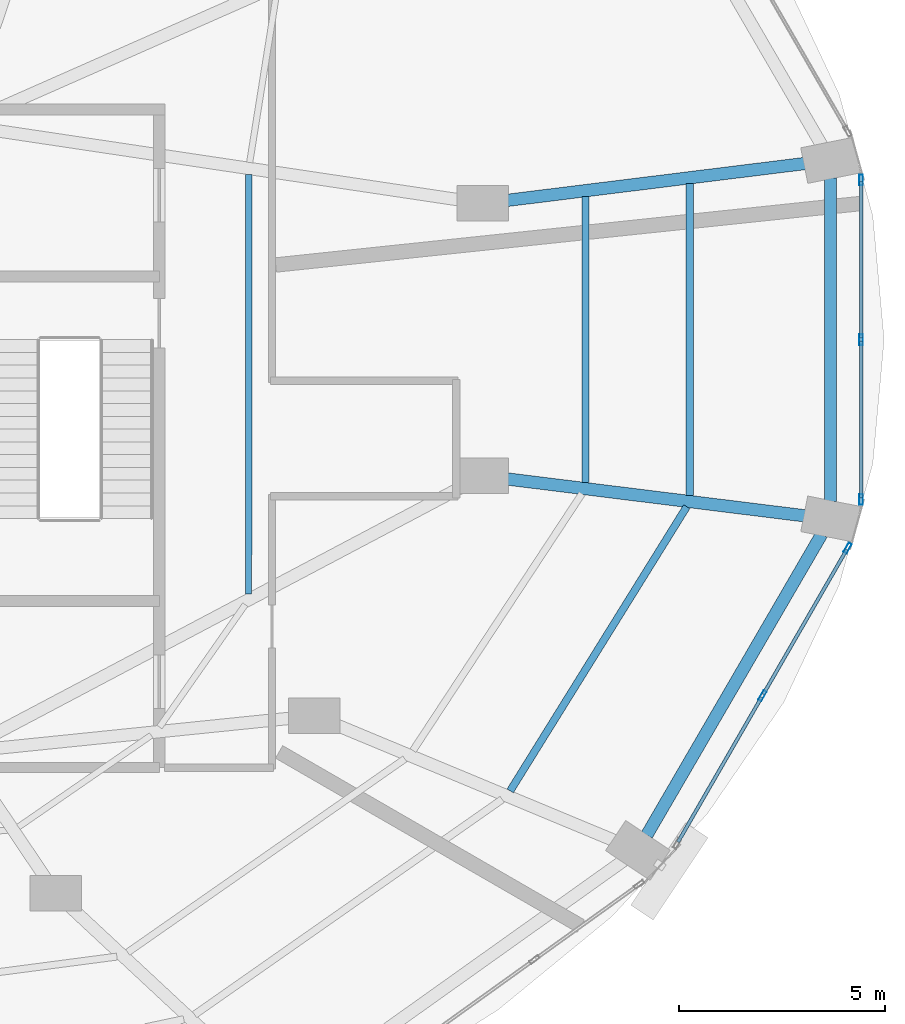
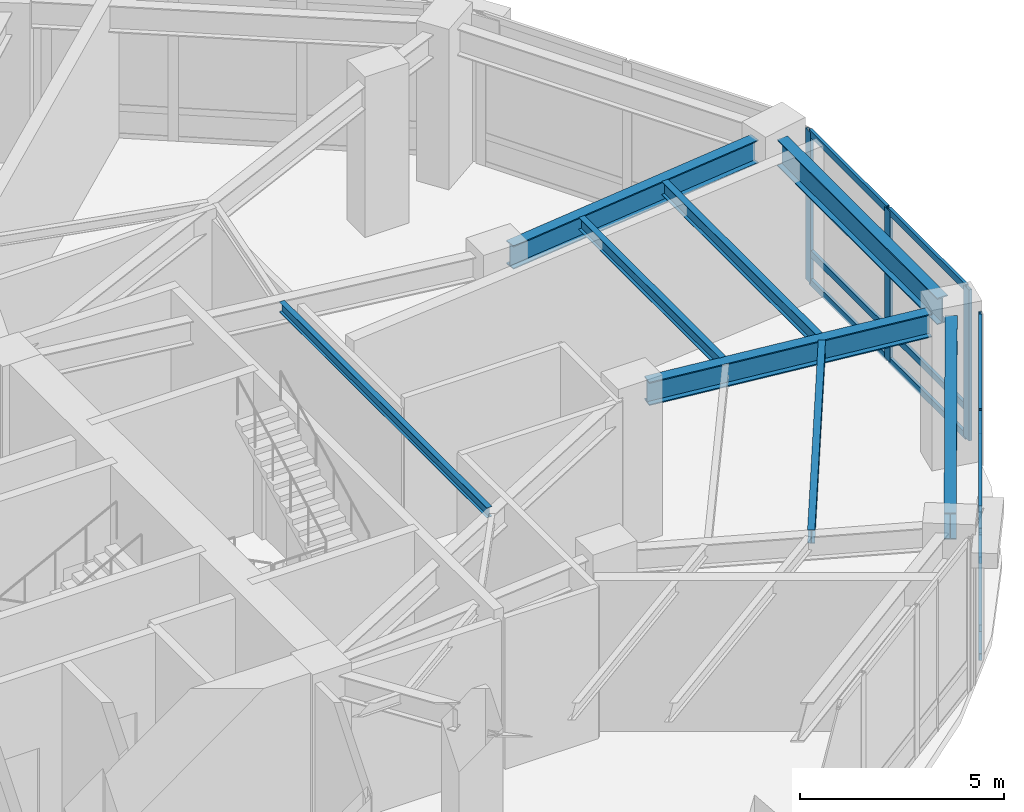
# One storey, part 12 of 24: 17 members, 8 beams, 2 elements without a shape of their own.
"""IFC4 building model written with IfcOpenShell, lengths in metres."""

from ifc_helpers import new_model, si_unit, direction, frame, origin, origin_2d, place, context, subcontext, project, spatial, hollow_rectangle, i_section, extrude, material, layer, layer_set, material_profile, profile_set, type_object, element, aggregate, save


model = new_model("IFC4")

# Units and contexts
model_context = context("Model", 3, precision=1e-05, world=origin(), true_north=direction((0.0, 1.0)))
body_context = subcontext(model_context, "Body", "Model", "MODEL_VIEW")
ifc_project = project(units=[si_unit("LENGTHUNIT", "METRE"), si_unit("AREAUNIT", "SQUARE_METRE"), si_unit("VOLUMEUNIT", "CUBIC_METRE"), si_unit("PLANEANGLEUNIT", "RADIAN"), si_unit("MASSUNIT", "GRAM", prefix="KILO")], contexts=[model_context])

# Site, building, storey
site_placement = place(None, origin())
site = spatial("IfcSite", under=ifc_project, at=site_placement, CompositionType="ELEMENT")
building_placement = place(site_placement, origin())
building = spatial("IfcBuilding", under=site, at=building_placement, Name="Lazwardi Medical Tower", CompositionType="ELEMENT")
storey_placement = place(building_placement, frame((0.0, 0.0, 10.800048828125)))
storey = spatial("IfcBuildingStorey", under=building, at=storey_placement, Name="L02", CompositionType="ELEMENT", Elevation=10.800048828125)

# Beams
ifc_material_1 = material(Name="Steel S355", Category="steel")
ifc_material_profile_1 = material_profile(ifc_material_1, i_section(OverallWidth=0.300048828125, OverallDepth=0.800048828125, WebThickness=0.017578125, FlangeThickness=0.032958984375, at=origin_2d()), Name="HEB 800")
ifc_profile_set_1 = profile_set([ifc_material_profile_1], Name="Steel S355")
beam_type_1 = type_object("IfcBeamType", Name="BM-RB-P1", PredefinedType="BEAM", material=ifc_profile_set_1)
beam_1_placement = place(storey_placement, frame((62.2412109375, 18.382568359375, 4.119873046875), z_axis=(0.502605874383, 0.864515665003, 0.0), x_axis=(-0.864515665003, 0.502605874383, 0.0)))
element("IfcBeam", 1, at=beam_1_placement, inside=storey, type_object=beam_type_1, Name="Ring beam RB-01 B03 L02", PredefinedType="BEAM", context=body_context, shape_type="SweptSolid", body=[
    extrude(i_section(OverallWidth=0.300048828125, OverallDepth=0.800048828125, WebThickness=0.017578125, FlangeThickness=0.032958984375, at=origin_2d()), origin(), (0.0, 0.0, 1.0), 8.4384765625),
])
beam_2_placement = place(storey_placement, frame((66.698486328125, 26.4794921875, 4.119873046875), z_axis=(0.0, 1.0, 0.0), x_axis=(-1.0, 0.0, 0.0)))
element("IfcBeam", 2, at=beam_2_placement, inside=storey, type_object=beam_type_1, Name="Ring beam RB-01 B04 L02", PredefinedType="BEAM", context=body_context, shape_type="SweptSolid", body=[
    extrude(i_section(OverallWidth=0.300048828125, OverallDepth=0.800048828125, WebThickness=0.017578125, FlangeThickness=0.032958984375, at=origin_2d()), origin(), (0.0, 0.0, 1.0), 7.841064453125),
])
ifc_material_profile_2 = material_profile(ifc_material_1, i_section(OverallWidth=0.300048828125, OverallDepth=0.699951171875, WebThickness=0.01708984375, FlangeThickness=0.031982421875, at=origin_2d()), Name="HEB 700")
ifc_profile_set_2 = profile_set([ifc_material_profile_2], Name="Steel S355")
beam_type_2 = type_object("IfcBeamType", Name="BM-RG-P1", PredefinedType="BEAM", material=ifc_profile_set_2)
for number, where, z_axis, x_axis, name in (
    (3, (66.123046875, 26.120849609375, 4.169921875), (-0.992421549031, 0.122879896728, 0.0), (-0.122879896728, -0.992421549031, 0.0), "Radial girder RG-01 R04A L02"),
    (4, (66.123046875, 34.67919921875, 4.169921875), (-0.992421549031, -0.122879896728, 0.0), (0.122879896728, -0.992421549031, 0.0), "Radial girder RG-01 R05A L02"),
):
    element("IfcBeam", number, at=place(storey_placement, frame(where, z_axis=z_axis, x_axis=x_axis)), inside=storey, type_object=beam_type_2, Name=name, PredefinedType="BEAM", context=body_context, shape_type="SweptSolid", body=[
        extrude(i_section(OverallWidth=0.300048828125, OverallDepth=0.699951171875, WebThickness=0.01708984375, FlangeThickness=0.031982421875, at=origin_2d()), origin(), (0.0, 0.0, 1.0), 7.52001953125),
    ])
ifc_material_profile_3 = material_profile(ifc_material_1, i_section(OverallWidth=0.179931640625, OverallDepth=0.39990234375, WebThickness=0.008544921875, FlangeThickness=0.013427734375, at=origin_2d()), Name="IPE 400")
ifc_profile_set_3 = profile_set([ifc_material_profile_3], Name="Steel S355")
beam_type_3 = type_object("IfcBeamType", Name="BM-SJ-01", PredefinedType="JOIST", material=ifc_profile_set_3)
beam_3_placement = place(storey_placement, frame((58.927490234375, 19.45458984375, 4.320068359375), z_axis=(0.527696026634, 0.84943328371, 0.0), x_axis=(-0.84943328371, 0.527696026634, 0.0)))
element("IfcBeam", 5, at=beam_3_placement, inside=storey, type_object=beam_type_3, Name="Secondary joist SJ-01 RO1 B03 L02", PredefinedType="JOIST", context=body_context, shape_type="SweptSolid", body=[
    extrude(i_section(OverallWidth=0.179931640625, OverallDepth=0.39990234375, WebThickness=0.008544921875, FlangeThickness=0.013427734375, at=origin_2d()), origin(), (0.0, 0.0, 1.0), 8.116455078125),
])
beam_4_placement = place(storey_placement, frame((63.287109375, 26.616943359375, 4.320068359375), z_axis=(0.0, 1.0, 0.0), x_axis=(-1.0, 0.0, 0.0)))
element("IfcBeam", 6, at=beam_4_placement, inside=storey, type_object=beam_type_3, Name="Secondary joist SJ-01 RO1 B04 L02", PredefinedType="JOIST", context=body_context, shape_type="SweptSolid", body=[
    extrude(i_section(OverallWidth=0.179931640625, OverallDepth=0.39990234375, WebThickness=0.008544921875, FlangeThickness=0.013427734375, at=origin_2d()), origin(), (0.0, 0.0, 1.0), 7.566162109375),
])
ifc_material_profile_4 = material_profile(ifc_material_1, i_section(OverallWidth=0.169921875, OverallDepth=0.360107421875, WebThickness=0.008056640625, FlangeThickness=0.0126953125, at=origin_2d()), Name="IPE 360")
ifc_profile_set_4 = profile_set([ifc_material_profile_4], Name="Steel S355")
beam_type_4 = type_object("IfcBeamType", Name="BM-SJ-02", PredefinedType="JOIST", material=ifc_profile_set_4)
beam_5_placement = place(storey_placement, frame((60.74951171875, 26.93115234375, 4.33984375), z_axis=(0.0, 1.0, 0.0), x_axis=(-1.0, 0.0, 0.0)))
element("IfcBeam", 7, at=beam_5_placement, inside=storey, type_object=beam_type_4, Name="Secondary joist SJ-02 RO2 B04 L02", PredefinedType="JOIST", context=body_context, shape_type="SweptSolid", body=[
    extrude(i_section(OverallWidth=0.169921875, OverallDepth=0.360107421875, WebThickness=0.008056640625, FlangeThickness=0.0126953125, at=origin_2d()), origin(), (0.0, 0.0, 1.0), 6.937744140625),
])
ifc_material_profile_5 = material_profile(ifc_material_1, i_section(OverallWidth=0.14990234375, OverallDepth=0.300048828125, WebThickness=0.007080078125, FlangeThickness=0.0107421875, at=origin_2d()), Name="IPE 300")
ifc_profile_set_5 = profile_set([ifc_material_profile_5], Name="Steel S355")
beam_type_5 = type_object("IfcBeamType", Name="BM-SJ-03", PredefinedType="JOIST", material=ifc_profile_set_5)
beam_6_placement = place(storey_placement, frame((52.5830078125, 24.236328125, 4.369873046875), z_axis=(0.000215967168, 0.999999976679, 0.0), x_axis=(-0.999999976679, 0.000215967168, 0.0)))
element("IfcBeam", 8, at=beam_6_placement, inside=storey, type_object=beam_type_5, Name="Secondary joist SJ-03 RI1 B04 L02", PredefinedType="JOIST", context=body_context, shape_type="SweptSolid", body=[
    extrude(i_section(OverallWidth=0.14990234375, OverallDepth=0.300048828125, WebThickness=0.007080078125, FlangeThickness=0.0107421875, at=origin_2d()), origin(), (0.0, 0.0, 1.0), 10.174072265625),
])

# Curtain wall, members
ifc_material_2 = material(Name="Anodised bronze aluminium and solar control glazing", Category="aluminium")
ifc_layer = layer(ifc_material_2, 0.219970703125)
ifc_layer_set = layer_set([ifc_layer], Name="Anodised bronze aluminium and solar control glazing")
curtain_wall_type = type_object("IfcCurtainWallType", Name="CW-SYS-01", PredefinedType="NOTDEFINED", material=ifc_layer_set)
curtain_wall_1_placement = place(storey_placement, origin())
curtain_wall_1 = element("IfcCurtainWall", 9, at=curtain_wall_1_placement, inside=storey, type_object=curtain_wall_type, Name="L02 Unitised bronze curtain wall CW-01", PredefinedType="NOTDEFINED")
ifc_material_3 = material(Name="Anodised bronze aluminium", Category="aluminium")
ifc_material_profile_6 = material_profile(ifc_material_3, hollow_rectangle(XDim=0.0849609375, YDim=0.260009765625, WallThickness=0.0048828125, at=origin_2d()), Name="ALU-MULLION 260x85x5")
ifc_profile_set_6 = profile_set([ifc_material_profile_6], Name="Anodised bronze aluminium")
member_type_1 = type_object("IfcMemberType", Name="CW-MUL-02", PredefinedType="MULLION", material=ifc_profile_set_6)
member_1_placement = place(storey_placement, frame((65.04638671875, 21.761962890625, 0.0), z_axis=(0.0, 0.0, 1.0), x_axis=(-0.866180607783, 0.499731082384, 0.0)))
member_1 = element("IfcMember", 10, at=member_1_placement, type_object=member_type_1, Name="CW-01 mullion 2", PredefinedType="MULLION", context=body_context, shape_type="SweptSolid", body=[
    extrude(hollow_rectangle(XDim=0.0849609375, YDim=0.260009765625, WallThickness=0.0048828125, at=origin_2d()), origin(), (0.0, 0.0, 1.0), 4.52001953125),
])
member_2_placement = place(storey_placement, frame((67.1142578125, 25.345947265625, 0.0), z_axis=(0.0, 0.0, 1.0), x_axis=(-0.866180607783, 0.499731082384, 0.0)))
member_2 = element("IfcMember", 11, at=member_2_placement, type_object=member_type_1, Name="CW-01 mullion 3", PredefinedType="MULLION", context=body_context, shape_type="SweptSolid", body=[
    extrude(hollow_rectangle(XDim=0.0849609375, YDim=0.260009765625, WallThickness=0.0048828125, at=origin_2d()), origin(), (0.0, 0.0, 1.0), 4.52001953125),
])

curtain_wall_2_placement = place(storey_placement, origin())
curtain_wall_2 = element("IfcCurtainWall", 12, at=curtain_wall_2_placement, inside=storey, type_object=curtain_wall_type, Name="L02 Unitised bronze curtain wall CW-01", PredefinedType="NOTDEFINED")
member_3_placement = place(storey_placement, frame((67.439697265625, 26.523193359375, 0.0), z_axis=(0.0, 0.0, 1.0), x_axis=(-1.0, 0.0, 0.0)))
member_3 = element("IfcMember", 13, at=member_3_placement, type_object=member_type_1, Name="CW-01 mullion 1", PredefinedType="MULLION", context=body_context, shape_type="SweptSolid", body=[
    extrude(hollow_rectangle(XDim=0.0849609375, YDim=0.260009765625, WallThickness=0.0048828125, at=origin_2d()), origin(), (0.0, 0.0, 1.0), 4.52001953125),
])
member_4_placement = place(storey_placement, frame((67.439697265625, 30.39990234375, 0.0), z_axis=(0.0, 0.0, 1.0), x_axis=(-1.0, 0.0, 0.0)))
member_4 = element("IfcMember", 14, at=member_4_placement, type_object=member_type_1, Name="CW-01 mullion 2", PredefinedType="MULLION", context=body_context, shape_type="SweptSolid", body=[
    extrude(hollow_rectangle(XDim=0.0849609375, YDim=0.260009765625, WallThickness=0.0048828125, at=origin_2d()), origin(), (0.0, 0.0, 1.0), 4.52001953125),
])
member_5_placement = place(storey_placement, frame((67.439697265625, 34.276611328125, 0.0), z_axis=(0.0, 0.0, 1.0), x_axis=(-1.0, 0.0, 0.0)))
member_5 = element("IfcMember", 15, at=member_5_placement, type_object=member_type_1, Name="CW-01 mullion 3", PredefinedType="MULLION", context=body_context, shape_type="SweptSolid", body=[
    extrude(hollow_rectangle(XDim=0.0849609375, YDim=0.260009765625, WallThickness=0.0048828125, at=origin_2d()), origin(), (0.0, 0.0, 1.0), 4.52001953125),
])

# Member
ifc_material_profile_7 = material_profile(ifc_material_3, hollow_rectangle(XDim=0.0849609375, YDim=0.199951171875, WallThickness=0.00439453125, at=origin_2d()), Name="ALU-TRANSOM 200x85x4.5")
ifc_profile_set_7 = profile_set([ifc_material_profile_7], Name="Anodised bronze aluminium")
member_type_2 = type_object("IfcMemberType", Name="CW-TRN-02", PredefinedType="USERDEFINED", material=ifc_profile_set_7)
member_6_placement = place(storey_placement, frame((62.999755859375, 18.21484375, 0.04248046875), z_axis=(0.499767651026, 0.866159508975, 0.0), x_axis=(-0.866159508975, 0.499767651026, 0.0)))
member_6 = element("IfcMember", 16, at=member_6_placement, type_object=member_type_2, Name="CW-01 transom 1.1", ObjectType="TRANSOM", PredefinedType="USERDEFINED", context=body_context, shape_type="SweptSolid", body=[
    extrude(hollow_rectangle(XDim=0.0849609375, YDim=0.199951171875, WallThickness=0.00439453125, at=origin_2d()), origin(), (0.0, 0.0, 1.0), 4.052734375),
])

member_7_placement = place(storey_placement, frame((62.999755859375, 18.21484375, 0.89990234375), z_axis=(0.499767651026, 0.866159508975, 0.0), x_axis=(-0.866159508975, 0.499767651026, 0.0)))
member_7 = element("IfcMember", 17, at=member_7_placement, type_object=member_type_2, Name="CW-01 transom 1.2", ObjectType="TRANSOM", PredefinedType="USERDEFINED", context=body_context, shape_type="SweptSolid", body=[
    extrude(hollow_rectangle(XDim=0.0849609375, YDim=0.199951171875, WallThickness=0.00439453125, at=origin_2d()), origin(), (0.0, 0.0, 1.0), 4.052734375),
])

member_8_placement = place(storey_placement, frame((62.999755859375, 18.21484375, 4.4775390625), z_axis=(0.499767651026, 0.866159508975, 0.0), x_axis=(-0.866159508975, 0.499767651026, 0.0)))
member_8 = element("IfcMember", 18, at=member_8_placement, type_object=member_type_2, Name="CW-01 transom 1.3", ObjectType="TRANSOM", PredefinedType="USERDEFINED", context=body_context, shape_type="SweptSolid", body=[
    extrude(hollow_rectangle(XDim=0.0849609375, YDim=0.199951171875, WallThickness=0.00439453125, at=origin_2d()), origin(), (0.0, 0.0, 1.0), 4.052734375),
])

member_9_placement = place(storey_placement, frame((65.067626953125, 21.798828125, 0.04248046875), z_axis=(0.499767651026, 0.866159508975, 0.0), x_axis=(-0.866159508975, 0.499767651026, 0.0)))
member_9 = element("IfcMember", 19, at=member_9_placement, type_object=member_type_2, Name="CW-01 transom 2.1", ObjectType="TRANSOM", PredefinedType="USERDEFINED", context=body_context, shape_type="SweptSolid", body=[
    extrude(hollow_rectangle(XDim=0.0849609375, YDim=0.199951171875, WallThickness=0.00439453125, at=origin_2d()), origin(), (0.0, 0.0, 1.0), 4.052734375),
])

member_10_placement = place(storey_placement, frame((65.067626953125, 21.798828125, 0.89990234375), z_axis=(0.499767651026, 0.866159508975, 0.0), x_axis=(-0.866159508975, 0.499767651026, 0.0)))
member_10 = element("IfcMember", 20, at=member_10_placement, type_object=member_type_2, Name="CW-01 transom 2.2", ObjectType="TRANSOM", PredefinedType="USERDEFINED", context=body_context, shape_type="SweptSolid", body=[
    extrude(hollow_rectangle(XDim=0.0849609375, YDim=0.199951171875, WallThickness=0.00439453125, at=origin_2d()), origin(), (0.0, 0.0, 1.0), 4.052734375),
])

member_11_placement = place(storey_placement, frame((65.067626953125, 21.798828125, 4.4775390625), z_axis=(0.499767651026, 0.866159508975, 0.0), x_axis=(-0.866159508975, 0.499767651026, 0.0)))
member_11 = element("IfcMember", 21, at=member_11_placement, type_object=member_type_2, Name="CW-01 transom 2.3", ObjectType="TRANSOM", PredefinedType="USERDEFINED", context=body_context, shape_type="SweptSolid", body=[
    extrude(hollow_rectangle(XDim=0.0849609375, YDim=0.199951171875, WallThickness=0.00439453125, at=origin_2d()), origin(), (0.0, 0.0, 1.0), 4.052734375),
])

aggregate(curtain_wall_1, [member_1, member_2, member_6, member_7, member_8, member_9, member_10, member_11])

member_12_placement = place(storey_placement, frame((67.439697265625, 26.56591796875, 0.04248046875), z_axis=(0.0, 1.0, 0.0), x_axis=(-1.0, 0.0, 0.0)))
member_12 = element("IfcMember", 22, at=member_12_placement, type_object=member_type_2, Name="CW-01 transom 1.1", ObjectType="TRANSOM", PredefinedType="USERDEFINED", context=body_context, shape_type="SweptSolid", body=[
    extrude(hollow_rectangle(XDim=0.0849609375, YDim=0.199951171875, WallThickness=0.00439453125, at=origin_2d()), origin(), (0.0, 0.0, 1.0), 3.79150390625),
])

member_13_placement = place(storey_placement, frame((67.439697265625, 26.56591796875, 0.89990234375), z_axis=(0.0, 1.0, 0.0), x_axis=(-1.0, 0.0, 0.0)))
member_13 = element("IfcMember", 23, at=member_13_placement, type_object=member_type_2, Name="CW-01 transom 1.2", ObjectType="TRANSOM", PredefinedType="USERDEFINED", context=body_context, shape_type="SweptSolid", body=[
    extrude(hollow_rectangle(XDim=0.0849609375, YDim=0.199951171875, WallThickness=0.00439453125, at=origin_2d()), origin(), (0.0, 0.0, 1.0), 3.79150390625),
])

member_14_placement = place(storey_placement, frame((67.439697265625, 26.56591796875, 4.4775390625), z_axis=(0.0, 1.0, 0.0), x_axis=(-1.0, 0.0, 0.0)))
member_14 = element("IfcMember", 24, at=member_14_placement, type_object=member_type_2, Name="CW-01 transom 1.3", ObjectType="TRANSOM", PredefinedType="USERDEFINED", context=body_context, shape_type="SweptSolid", body=[
    extrude(hollow_rectangle(XDim=0.0849609375, YDim=0.199951171875, WallThickness=0.00439453125, at=origin_2d()), origin(), (0.0, 0.0, 1.0), 3.79150390625),
])

member_15_placement = place(storey_placement, frame((67.439697265625, 30.4423828125, 0.04248046875), z_axis=(0.0, 1.0, 0.0), x_axis=(-1.0, 0.0, 0.0)))
member_15 = element("IfcMember", 25, at=member_15_placement, type_object=member_type_2, Name="CW-01 transom 2.1", ObjectType="TRANSOM", PredefinedType="USERDEFINED", context=body_context, shape_type="SweptSolid", body=[
    extrude(hollow_rectangle(XDim=0.0849609375, YDim=0.199951171875, WallThickness=0.00439453125, at=origin_2d()), origin(), (0.0, 0.0, 1.0), 3.791748046875),
])

member_16_placement = place(storey_placement, frame((67.439697265625, 30.4423828125, 0.89990234375), z_axis=(0.0, 1.0, 0.0), x_axis=(-1.0, 0.0, 0.0)))
member_16 = element("IfcMember", 26, at=member_16_placement, type_object=member_type_2, Name="CW-01 transom 2.2", ObjectType="TRANSOM", PredefinedType="USERDEFINED", context=body_context, shape_type="SweptSolid", body=[
    extrude(hollow_rectangle(XDim=0.0849609375, YDim=0.199951171875, WallThickness=0.00439453125, at=origin_2d()), origin(), (0.0, 0.0, 1.0), 3.791748046875),
])

member_17_placement = place(storey_placement, frame((67.439697265625, 30.4423828125, 4.4775390625), z_axis=(0.0, 1.0, 0.0), x_axis=(-1.0, 0.0, 0.0)))
member_17 = element("IfcMember", 27, at=member_17_placement, type_object=member_type_2, Name="CW-01 transom 2.3", ObjectType="TRANSOM", PredefinedType="USERDEFINED", context=body_context, shape_type="SweptSolid", body=[
    extrude(hollow_rectangle(XDim=0.0849609375, YDim=0.199951171875, WallThickness=0.00439453125, at=origin_2d()), origin(), (0.0, 0.0, 1.0), 3.791748046875),
])

aggregate(curtain_wall_2, [member_3, member_4, member_5, member_12, member_13, member_14, member_15, member_16, member_17])

save(model, "model.ifc")
